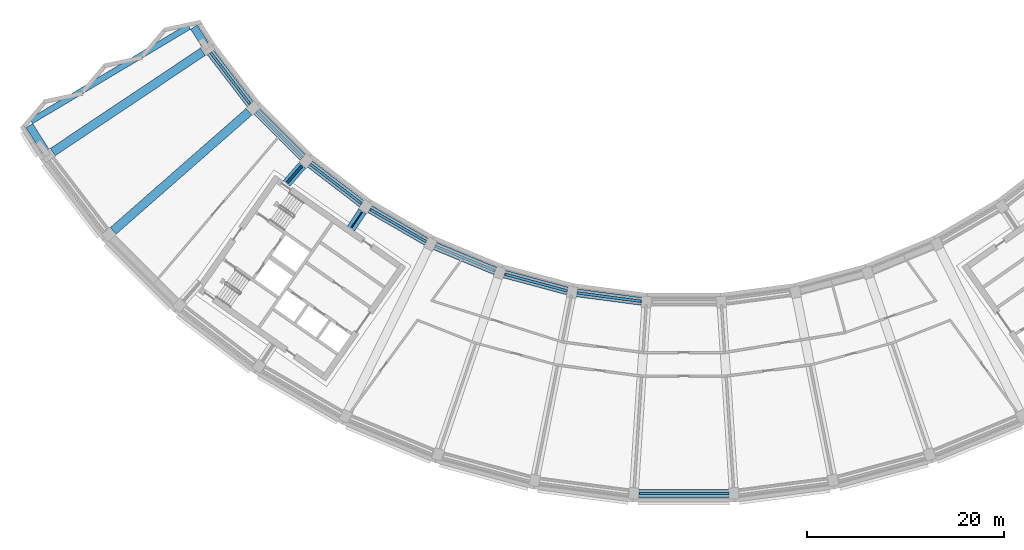
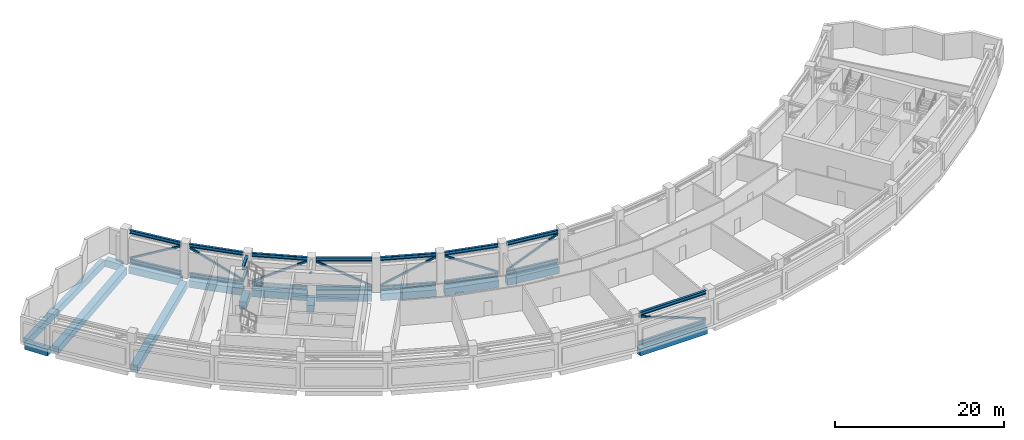
# One storey, part 2 of 24: 28 members, 15 beams.
"""IFC4 building model written with IfcOpenShell, lengths in metres."""

from ifc_helpers import new_model, si_unit, direction, frame, origin, origin_2d, place, context, subcontext, project, spatial, rectangle, hollow_rectangle, hollow_circle, i_section, extrude, material, material_profile, profile_set, type_object, element, save


model = new_model("IFC4")

# Units and contexts
model_context = context("Model", 3, precision=1e-05, world=origin(), true_north=direction((0.0, 1.0)))
body_context = subcontext(model_context, "Body", "Model", "MODEL_VIEW")
ifc_project = project(units=[si_unit("LENGTHUNIT", "METRE"), si_unit("AREAUNIT", "SQUARE_METRE"), si_unit("VOLUMEUNIT", "CUBIC_METRE"), si_unit("PLANEANGLEUNIT", "RADIAN"), si_unit("MASSUNIT", "GRAM", prefix="KILO")], contexts=[model_context])

# Site, building, storey
site_placement = place(None, origin())
site = spatial("IfcSite", under=ifc_project, at=site_placement, CompositionType="ELEMENT")
building_placement = place(site_placement, origin())
building = spatial("IfcBuilding", under=site, at=building_placement, Name="Qamariyya Broadcast Tower", CompositionType="ELEMENT")
storey_placement = place(building_placement, frame((0.0, 0.0, 253.10009765625)))
storey = spatial("IfcBuildingStorey", under=building, at=storey_placement, Name="L61", CompositionType="ELEMENT", Elevation=253.10009765625)

# Members
ifc_material_1 = material(Name="Steel S355", Category="steel")
ifc_material_profile_1 = material_profile(ifc_material_1, i_section(OverallWidth=0.300048828125, OverallDepth=0.5, WebThickness=0.014404296875, FlangeThickness=0.028076171875, FilletRadius=0.027099609375, at=origin_2d()))
ifc_profile_set_1 = profile_set([ifc_material_profile_1], Name="Steel S355")
member_type_1 = type_object("IfcMemberType", Name="Belt truss bottom chord HEB 500", PredefinedType="CHORD", material=ifc_profile_set_1)
for number, where, z_axis, x_axis, name in (
    (1, (-48.128173828125, -32.759521484375, 0.25), (0.608788546151, -0.79333253184, 0.0), (0.79333253184, 0.608788546151, 0.0), "Belt truss bottom chord T28 L61 B-R03"),
    (2, (-43.4404296875, -38.76123046875, 0.25), (0.707106781187, -0.707106781187, 0.0), (0.707106781187, 0.707106781187, 0.0), "Belt truss bottom chord T28 L61 B-R04"),
    (3, (-38.00927734375, -44.099609375, 0.25), (0.79333253184, -0.608788546151, 0.0), (0.608788546151, 0.79333253184, 0.0), "Belt truss bottom chord T28 L61 B-R05"),
):
    element("IfcMember", number, at=place(storey_placement, frame(where, z_axis=z_axis, x_axis=x_axis)), inside=storey, type_object=member_type_1, Name=name, PredefinedType="CHORD", context=body_context, shape_type="SweptSolid", body=[
        extrude(i_section(OverallWidth=0.300048828125, OverallDepth=0.5, WebThickness=0.014404296875, FlangeThickness=0.028076171875, FilletRadius=0.027099609375, at=origin_2d()), origin(), (0.0, 0.0, 1.0), 6.617431640625),
    ])
for number, where, z_axis, x_axis, name in (
    (4, (-31.927978515625, -48.68359375, 0.25), (0.866027686223, -0.499996046679, 0.0), (0.499996046679, 0.866027686223, 0.0), "Belt truss bottom chord T28 L61 B-R06"),
    (5, (-25.30029296875, -52.4345703125, 0.25), (0.923870685948, -0.382704789159, 0.0), (0.382704789159, 0.923870685948, 0.0), "Belt truss bottom chord T28 L61 B-R07"),
):
    element("IfcMember", number, at=place(storey_placement, frame(where, z_axis=z_axis, x_axis=x_axis)), inside=storey, type_object=member_type_1, Name=name, PredefinedType="CHORD", context=body_context, shape_type="SweptSolid", body=[
        extrude(i_section(OverallWidth=0.300048828125, OverallDepth=0.5, WebThickness=0.014404296875, FlangeThickness=0.028076171875, FilletRadius=0.027099609375, at=origin_2d()), origin(), (0.0, 0.0, 1.0), 6.6171875),
    ])
for number, where, z_axis, x_axis, name in (
    (6, (-18.23974609375, -55.288330078125, 0.25), (0.965927466282, -0.258812924486, 0.0), (0.258812924486, 0.965927466282, 0.0), "Belt truss bottom chord T28 L61 B-R08"),
    (7, (-10.8671875, -57.196044921875, 0.25), (0.991444372314, -0.130529906942, 0.0), (0.130529906942, 0.991444372314, 0.0), "Belt truss bottom chord T28 L61 B-R09"),
):
    element("IfcMember", number, at=place(storey_placement, frame(where, z_axis=z_axis, x_axis=x_axis)), inside=storey, type_object=member_type_1, Name=name, PredefinedType="CHORD", context=body_context, shape_type="SweptSolid", body=[
        extrude(i_section(OverallWidth=0.300048828125, OverallDepth=0.5, WebThickness=0.014404296875, FlangeThickness=0.028076171875, FilletRadius=0.027099609375, at=origin_2d()), origin(), (0.0, 0.0, 1.0), 6.617431640625),
    ])
member_1_placement = place(storey_placement, frame((-4.583984375, -77.58349609375, 0.25), z_axis=(1.0, 0.0, 0.0), x_axis=(0.0, 1.0, 0.0)))
element("IfcMember", 8, at=member_1_placement, inside=storey, type_object=member_type_1, Name="Belt truss bottom chord T28 L61 C-R10", PredefinedType="CHORD", context=body_context, shape_type="SweptSolid", body=[
    extrude(i_section(OverallWidth=0.300048828125, OverallDepth=0.5, WebThickness=0.014404296875, FlangeThickness=0.028076171875, FilletRadius=0.027099609375, at=origin_2d()), origin(), (0.0, 0.0, 1.0), 9.16796875),
])
ifc_material_profile_2 = material_profile(ifc_material_1, hollow_rectangle(XDim=0.25, YDim=0.25, WallThickness=0.010009765625, InnerFilletRadius=0.010009765625, OuterFilletRadius=0.02001953125, at=origin_2d()))
ifc_profile_set_2 = profile_set([ifc_material_profile_2], Name="Steel S355")
member_type_2 = type_object("IfcMemberType", Name="Belt truss diagonal RHS 250x250x10", PredefinedType="BRACE", material=ifc_profile_set_2)
for number, where, z_axis, x_axis, name in (
    (9, (-48.0908203125, -32.807861328125, 0.610107421875), (0.536592862245, -0.699343349392, 0.472214972072), (0.793370962332, 0.60873846283, 0.0), "Belt truss diagonal T29 L61 B-R03"),
    (10, (-43.397216796875, -38.804443359375, 4.089599609375), (0.623302826778, -0.623302826778, -0.472215175805), (0.707106781187, 0.707106781187, 0.0), "Belt truss diagonal T29 L61 B-R04"),
    (11, (-37.9609375, -44.136962890625, 0.610107421875), (0.699343349392, -0.536592862245, 0.472214972072), (0.60873846283, 0.793370962332, 0.0), "Belt truss diagonal T29 L61 B-R05"),
):
    element("IfcMember", number, at=place(storey_placement, frame(where, z_axis=z_axis, x_axis=x_axis)), inside=storey, type_object=member_type_2, Name=name, PredefinedType="BRACE", context=body_context, shape_type="SweptSolid", body=[
        extrude(hollow_rectangle(XDim=0.25, YDim=0.25, WallThickness=0.010009765625, InnerFilletRadius=0.010009765625, OuterFilletRadius=0.02001953125, at=origin_2d()), origin(), (0.0, 0.0, 1.0), 7.368408203125),
    ])
member_2_placement = place(storey_placement, frame((-31.875244140625, -48.714111328125, 4.089599609375), z_axis=(0.763403173701, -0.440726922294, -0.472202683546), x_axis=(0.49997949009, 0.866037244863, 0.0)))
element("IfcMember", 12, at=member_2_placement, inside=storey, type_object=member_type_2, Name="Belt truss diagonal T29 L61 B-R06", PredefinedType="BRACE", context=body_context, shape_type="SweptSolid", body=[
    extrude(hollow_rectangle(XDim=0.25, YDim=0.25, WallThickness=0.010009765625, InnerFilletRadius=0.010009765625, OuterFilletRadius=0.02001953125, at=origin_2d()), origin(), (0.0, 0.0, 1.0), 7.36865234375),
])
member_3_placement = place(storey_placement, frame((-25.243896484375, -52.4580078125, 0.610107421875), z_axis=(0.814383519397, -0.337330184751, 0.472215872023), x_axis=(0.382684871323, 0.923878936474, 0.0)))
element("IfcMember", 13, at=member_3_placement, inside=storey, type_object=member_type_2, Name="Belt truss diagonal T29 L61 B-R07", PredefinedType="BRACE", context=body_context, shape_type="SweptSolid", body=[
    extrude(hollow_rectangle(XDim=0.25, YDim=0.25, WallThickness=0.010009765625, InnerFilletRadius=0.010009765625, OuterFilletRadius=0.02001953125, at=origin_2d()), origin(), (0.0, 0.0, 1.0), 7.368408203125),
])
for number, where, z_axis, x_axis, name in (
    (14, (-18.180908203125, -55.30419921875, 4.089599609375), (0.851448379145, -0.228152912242, -0.472209599952), (0.258827519767, 0.96592355547, 0.0), "Belt truss diagonal T29 L61 B-R08"),
    (15, (-10.806640625, -57.2041015625, 0.610107421875), (0.873943840112, -0.115070211044, 0.472208651828), (0.130541047537, 0.991442905521, 0.0), "Belt truss diagonal T29 L61 B-R09"),
):
    element("IfcMember", number, at=place(storey_placement, frame(where, z_axis=z_axis, x_axis=x_axis)), inside=storey, type_object=member_type_2, Name=name, PredefinedType="BRACE", context=body_context, shape_type="SweptSolid", body=[
        extrude(hollow_rectangle(XDim=0.25, YDim=0.25, WallThickness=0.010009765625, InnerFilletRadius=0.010009765625, OuterFilletRadius=0.02001953125, at=origin_2d()), origin(), (0.0, 0.0, 1.0), 7.36865234375),
    ])
member_4_placement = place(storey_placement, frame((-4.537353515625, -77.58349609375, 4.083251953125), z_axis=(0.934161272211, 0.0, -0.356851113913), x_axis=(0.0, 1.0, 0.0)))
element("IfcMember", 16, at=member_4_placement, inside=storey, type_object=member_type_2, Name="Belt truss diagonal T29 L61 C-R10", PredefinedType="BRACE", context=body_context, shape_type="SweptSolid", body=[
    extrude(hollow_rectangle(XDim=0.25, YDim=0.25, WallThickness=0.010009765625, InnerFilletRadius=0.010009765625, OuterFilletRadius=0.02001953125, at=origin_2d()), origin(), (0.0, 0.0, 1.0), 9.71435546875),
])
ifc_material_profile_3 = material_profile(ifc_material_1, i_section(OverallWidth=0.300048828125, OverallDepth=0.5, WebThickness=0.014404296875, FlangeThickness=0.028076171875, FilletRadius=0.027099609375, at=origin_2d()))
ifc_profile_set_3 = profile_set([ifc_material_profile_3], Name="Steel S355")
member_type_3 = type_object("IfcMemberType", Name="Belt truss top chord HEB 500", PredefinedType="CHORD", material=ifc_profile_set_3)
for number, where, z_axis, x_axis, name in (
    (17, (-48.128173828125, -32.759521484375, 4.449951171875), (0.608788546151, -0.79333253184, 0.0), (0.79333253184, 0.608788546151, 0.0), "Belt truss top chord T27 L61 B-R03"),
    (18, (-43.4404296875, -38.76123046875, 4.449951171875), (0.707106781187, -0.707106781187, 0.0), (0.707106781187, 0.707106781187, 0.0), "Belt truss top chord T27 L61 B-R04"),
    (19, (-38.00927734375, -44.099609375, 4.449951171875), (0.79333253184, -0.608788546151, 0.0), (0.608788546151, 0.79333253184, 0.0), "Belt truss top chord T27 L61 B-R05"),
):
    element("IfcMember", number, at=place(storey_placement, frame(where, z_axis=z_axis, x_axis=x_axis)), inside=storey, type_object=member_type_3, Name=name, PredefinedType="CHORD", context=body_context, shape_type="SweptSolid", body=[
        extrude(i_section(OverallWidth=0.300048828125, OverallDepth=0.5, WebThickness=0.014404296875, FlangeThickness=0.028076171875, FilletRadius=0.027099609375, at=origin_2d()), origin(), (0.0, 0.0, 1.0), 6.617431640625),
    ])
for number, where, z_axis, x_axis, name in (
    (20, (-31.927978515625, -48.68359375, 4.449951171875), (0.866027686223, -0.499996046679, 0.0), (0.499996046679, 0.866027686223, 0.0), "Belt truss top chord T27 L61 B-R06"),
    (21, (-25.30029296875, -52.4345703125, 4.449951171875), (0.923870685948, -0.382704789159, 0.0), (0.382704789159, 0.923870685948, 0.0), "Belt truss top chord T27 L61 B-R07"),
):
    element("IfcMember", number, at=place(storey_placement, frame(where, z_axis=z_axis, x_axis=x_axis)), inside=storey, type_object=member_type_3, Name=name, PredefinedType="CHORD", context=body_context, shape_type="SweptSolid", body=[
        extrude(i_section(OverallWidth=0.300048828125, OverallDepth=0.5, WebThickness=0.014404296875, FlangeThickness=0.028076171875, FilletRadius=0.027099609375, at=origin_2d()), origin(), (0.0, 0.0, 1.0), 6.6171875),
    ])
for number, where, z_axis, x_axis, name in (
    (22, (-18.23974609375, -55.288330078125, 4.449951171875), (0.965927466282, -0.258812924486, 0.0), (0.258812924486, 0.965927466282, 0.0), "Belt truss top chord T27 L61 B-R08"),
    (23, (-10.8671875, -57.196044921875, 4.449951171875), (0.991444372314, -0.130529906942, 0.0), (0.130529906942, 0.991444372314, 0.0), "Belt truss top chord T27 L61 B-R09"),
):
    element("IfcMember", number, at=place(storey_placement, frame(where, z_axis=z_axis, x_axis=x_axis)), inside=storey, type_object=member_type_3, Name=name, PredefinedType="CHORD", context=body_context, shape_type="SweptSolid", body=[
        extrude(i_section(OverallWidth=0.300048828125, OverallDepth=0.5, WebThickness=0.014404296875, FlangeThickness=0.028076171875, FilletRadius=0.027099609375, at=origin_2d()), origin(), (0.0, 0.0, 1.0), 6.617431640625),
    ])
member_5_placement = place(storey_placement, frame((-4.583984375, -77.58349609375, 4.449951171875), z_axis=(1.0, 0.0, 0.0), x_axis=(0.0, 1.0, 0.0)))
element("IfcMember", 24, at=member_5_placement, inside=storey, type_object=member_type_3, Name="Belt truss top chord T27 L61 C-R10", PredefinedType="CHORD", context=body_context, shape_type="SweptSolid", body=[
    extrude(i_section(OverallWidth=0.300048828125, OverallDepth=0.5, WebThickness=0.014404296875, FlangeThickness=0.028076171875, FilletRadius=0.027099609375, at=origin_2d()), origin(), (0.0, 0.0, 1.0), 9.16796875),
])
ifc_material_profile_4 = material_profile(ifc_material_1, i_section(OverallWidth=0.300048828125, OverallDepth=0.389892578125, WebThickness=0.010986328125, FlangeThickness=0.01904296875, FilletRadius=0.027099609375, at=origin_2d()))
ifc_profile_set_4 = profile_set([ifc_material_profile_4], Name="Steel S355")
member_type_4 = type_object("IfcMemberType", Name="Outrigger truss bottom chord HEA 400", PredefinedType="CHORD", material=ifc_profile_set_4)
member_6_placement = place(storey_placement, frame((-38.79931640625, -44.241943359375, 2.69482421875), z_axis=(-0.659261415611, -0.751913815465, 0.0), x_axis=(0.751913815465, -0.659261415611, 0.0)))
element("IfcMember", 25, at=member_6_placement, inside=storey, type_object=member_type_4, Name="Outrigger truss bottom chord T25 L61 R05", PredefinedType="CHORD", context=body_context, shape_type="SweptSolid", body=[
    extrude(i_section(OverallWidth=0.300048828125, OverallDepth=0.389892578125, WebThickness=0.010986328125, FlangeThickness=0.01904296875, FilletRadius=0.027099609375, at=origin_2d()), origin(), (0.0, 0.0, 1.0), 2.374267578125),
])
ifc_material_profile_5 = material_profile(ifc_material_1, hollow_circle(Radius=0.109619140625, WallThickness=0.010009765625, at=origin_2d()))
ifc_profile_set_5 = profile_set([ifc_material_profile_5], Name="Steel S355")
member_type_5 = type_object("IfcMemberType", Name="Outrigger truss diagonal CHS 219.1x10", PredefinedType="BRACE", material=ifc_profile_set_5)
member_7_placement = place(storey_placement, frame((-38.8349609375, -44.28271484375, 2.986328125), z_axis=(-0.579732146221, -0.661116345209, 0.476272838545), x_axis=(0.751868743893, -0.659312817983, 0.0)))
element("IfcMember", 26, at=member_7_placement, inside=storey, type_object=member_type_5, Name="Outrigger truss diagonal T30 L61 R05", PredefinedType="BRACE", context=body_context, shape_type="SweptSolid", body=[
    extrude(hollow_circle(Radius=0.109619140625, WallThickness=0.010009765625, at=origin_2d()), origin(), (0.0, 0.0, 1.0), 2.576904296875),
])
member_8_placement = place(storey_placement, frame((-32.726806640625, -48.979248046875, 2.981689453125), z_axis=(-0.465751195382, -0.697011844406, 0.545206669767), x_axis=(0.831457064539, -0.555589011615, 0.0)))
element("IfcMember", 27, at=member_8_placement, inside=storey, type_object=member_type_5, Name="Outrigger truss diagonal T30 L61 R06", PredefinedType="BRACE", context=body_context, shape_type="SweptSolid", body=[
    extrude(hollow_circle(Radius=0.109619140625, WallThickness=0.010009765625, at=origin_2d()), origin(), (0.0, 0.0, 1.0), 2.267578125),
])
ifc_material_profile_6 = material_profile(ifc_material_1, i_section(OverallWidth=0.300048828125, OverallDepth=0.389892578125, WebThickness=0.010986328125, FlangeThickness=0.01904296875, FilletRadius=0.027099609375, at=origin_2d()))
ifc_profile_set_6 = profile_set([ifc_material_profile_6], Name="Steel S355")
member_type_6 = type_object("IfcMemberType", Name="Outrigger truss top chord HEA 400", PredefinedType="CHORD", material=ifc_profile_set_6)
member_9_placement = place(storey_placement, frame((-38.79931640625, -44.241943359375, 4.5048828125), z_axis=(-0.659261415611, -0.751913815465, 0.0), x_axis=(0.751913815465, -0.659261415611, 0.0)))
element("IfcMember", 28, at=member_9_placement, inside=storey, type_object=member_type_6, Name="Outrigger truss top chord T24 L61 R05", PredefinedType="CHORD", context=body_context, shape_type="SweptSolid", body=[
    extrude(i_section(OverallWidth=0.300048828125, OverallDepth=0.389892578125, WebThickness=0.010986328125, FlangeThickness=0.01904296875, FilletRadius=0.027099609375, at=origin_2d()), origin(), (0.0, 0.0, 1.0), 2.374267578125),
])

# Beams
ifc_material_2 = material(Name="Concrete C40/50", Category="concrete")
ifc_material_profile_7 = material_profile(ifc_material_2, rectangle(XDim=0.800048828125, YDim=1.0, at=origin_2d()))
ifc_profile_set_7 = profile_set([ifc_material_profile_7], Name="Concrete C40/50")
beam_type_1 = type_object("IfcBeamType", Name="RC edge beam 800 x 1000 C40/50", PredefinedType="SPANDREL", material=ifc_profile_set_7)
for number, where, z_axis, x_axis, name in (
    (29, (-48.128173828125, -32.759521484375, -0.900146484375), (0.608788546151, -0.79333253184, 0.0), (0.79333253184, 0.608788546151, 0.0), "Edge beam B24 L61 B R03-R04"),
    (30, (-43.4404296875, -38.76123046875, -0.900146484375), (0.707106781187, -0.707106781187, 0.0), (0.707106781187, 0.707106781187, 0.0), "Edge beam B24 L61 B R04-R05"),
    (31, (-38.00927734375, -44.099609375, -0.900146484375), (0.79333253184, -0.608788546151, 0.0), (0.608788546151, 0.79333253184, 0.0), "Edge beam B24 L61 B R05-R06"),
):
    element("IfcBeam", number, at=place(storey_placement, frame(where, z_axis=z_axis, x_axis=x_axis)), inside=storey, type_object=beam_type_1, Name=name, PredefinedType="SPANDREL", context=body_context, shape_type="SweptSolid", body=[
        extrude(rectangle(XDim=0.800048828125, YDim=1.0, at=origin_2d()), origin(), (0.0, 0.0, 1.0), 6.617431640625),
    ])
for number, where, z_axis, x_axis, name in (
    (32, (-31.927978515625, -48.68359375, -0.900146484375), (0.866027686223, -0.499996046679, 0.0), (0.499996046679, 0.866027686223, 0.0), "Edge beam B24 L61 B R06-R07"),
    (33, (-25.30029296875, -52.4345703125, -0.900146484375), (0.923870685948, -0.382704789159, 0.0), (0.382704789159, 0.923870685948, 0.0), "Edge beam B24 L61 B R07-R08"),
):
    element("IfcBeam", number, at=place(storey_placement, frame(where, z_axis=z_axis, x_axis=x_axis)), inside=storey, type_object=beam_type_1, Name=name, PredefinedType="SPANDREL", context=body_context, shape_type="SweptSolid", body=[
        extrude(rectangle(XDim=0.800048828125, YDim=1.0, at=origin_2d()), origin(), (0.0, 0.0, 1.0), 6.6171875),
    ])
for number, where, z_axis, x_axis, name in (
    (34, (-18.23974609375, -55.288330078125, -0.900146484375), (0.965927466282, -0.258812924486, 0.0), (0.258812924486, 0.965927466282, 0.0), "Edge beam B24 L61 B R08-R09"),
    (35, (-10.8671875, -57.196044921875, -0.900146484375), (0.991444372314, -0.130529906942, 0.0), (0.130529906942, 0.991444372314, 0.0), "Edge beam B24 L61 B R09-R10"),
):
    element("IfcBeam", number, at=place(storey_placement, frame(where, z_axis=z_axis, x_axis=x_axis)), inside=storey, type_object=beam_type_1, Name=name, PredefinedType="SPANDREL", context=body_context, shape_type="SweptSolid", body=[
        extrude(rectangle(XDim=0.800048828125, YDim=1.0, at=origin_2d()), origin(), (0.0, 0.0, 1.0), 6.617431640625),
    ])
beam_1_placement = place(storey_placement, frame((-4.583984375, -77.58349609375, -0.900146484375), z_axis=(1.0, 0.0, 0.0), x_axis=(0.0, 1.0, 0.0)))
element("IfcBeam", 36, at=beam_1_placement, inside=storey, type_object=beam_type_1, Name="Edge beam B24 L61 C R10-R11", PredefinedType="SPANDREL", context=body_context, shape_type="SweptSolid", body=[
    extrude(rectangle(XDim=0.800048828125, YDim=1.0, at=origin_2d()), origin(), (0.0, 0.0, 1.0), 9.16796875),
])
ifc_material_profile_8 = material_profile(ifc_material_2, rectangle(XDim=0.800048828125, YDim=1.0, at=origin_2d()))
ifc_profile_set_8 = profile_set([ifc_material_profile_8], Name="Concrete C40/50")
beam_type_2 = type_object("IfcBeamType", Name="RC horn beam 800 x 1000 C40/50", PredefinedType="BEAM", material=ifc_profile_set_8)
beam_2_placement = place(storey_placement, frame((-48.70068359375, -31.939453125, -0.900146484375), z_axis=(-0.534674061162, 0.845058369771, 0.0), x_axis=(-0.845058369771, -0.534674061162, 0.0)))
element("IfcBeam", 37, at=beam_2_placement, inside=storey, type_object=beam_type_2, Name="Horn beam B25 L61 W B-R03", PredefinedType="BEAM", context=body_context, shape_type="SweptSolid", body=[
    extrude(rectangle(XDim=0.800048828125, YDim=1.0, at=origin_2d()), origin(), (0.0, 0.0, 1.0), 2.08984375),
])
beam_3_placement = place(storey_placement, frame((-64.914306640625, -42.77294921875, -0.900146484375), z_axis=(-0.534770890382, 0.84499709751, 0.0), x_axis=(-0.84499709751, -0.534770890382, 0.0)))
element("IfcBeam", 38, at=beam_3_placement, inside=storey, type_object=beam_type_2, Name="Horn beam B25 L61 W C-R03", PredefinedType="BEAM", context=body_context, shape_type="SweptSolid", body=[
    extrude(rectangle(XDim=0.800048828125, YDim=1.0, at=origin_2d()), origin(), (0.0, 0.0, 1.0), 3.057373046875),
])
ifc_material_profile_9 = material_profile(ifc_material_2, rectangle(XDim=0.60009765625, YDim=1.0, at=origin_2d()))
ifc_profile_set_9 = profile_set([ifc_material_profile_9], Name="Concrete C40/50")
beam_type_3 = type_object("IfcBeamType", Name="RC horn cap beam 600 x 1000 C40/50", PredefinedType="BEAM", material=ifc_profile_set_9)
beam_4_placement = place(storey_placement, frame((-50.32177734375, -30.125244140625, -0.900146484375), z_axis=(-0.858001674613, -0.513646888788, 0.0), x_axis=(0.513646888788, -0.858001674613, 0.0)))
element("IfcBeam", 39, at=beam_4_placement, inside=storey, type_object=beam_type_3, Name="Horn cap beam B26 L61 W B-C", PredefinedType="BEAM", context=body_context, shape_type="SweptSolid", body=[
    extrude(rectangle(XDim=0.60009765625, YDim=1.0, at=origin_2d()), origin(), (0.0, 0.0, 1.0), 18.699951171875),
])
ifc_material_profile_10 = material_profile(ifc_material_2, rectangle(XDim=0.89990234375, YDim=1.0, at=origin_2d()))
ifc_profile_set_10 = profile_set([ifc_material_profile_10], Name="Concrete C40/50")
beam_type_4 = type_object("IfcBeamType", Name="RC radial beam 900 x 1000 C40/50", PredefinedType="BEAM", material=ifc_profile_set_10)
beam_5_placement = place(storey_placement, frame((-48.9111328125, -32.681396484375, -0.900146484375), z_axis=(-0.831468530479, -0.55557185208, 0.0), x_axis=(0.55557185208, -0.831468530479, 0.0)))
element("IfcBeam", 40, at=beam_5_placement, inside=storey, type_object=beam_type_4, Name="Radial beam B23 L61 R03 B-C", PredefinedType="BEAM", context=body_context, shape_type="SweptSolid", body=[
    extrude(rectangle(XDim=0.89990234375, YDim=1.0, at=origin_2d()), origin(), (0.0, 0.0, 1.0), 18.35009765625),
])
beam_6_placement = place(storey_placement, frame((-44.22705078125, -38.7861328125, -0.900146484375), z_axis=(-0.751840222646, -0.659345341692, 0.0), x_axis=(0.659345341692, -0.751840222646, 0.0)))
element("IfcBeam", 41, at=beam_6_placement, inside=storey, type_object=beam_type_4, Name="Radial beam B23 L61 R04 B-C", PredefinedType="BEAM", context=body_context, shape_type="SweptSolid", body=[
    extrude(rectangle(XDim=0.89990234375, YDim=1.0, at=origin_2d()), origin(), (0.0, 0.0, 1.0), 18.349853515625),
])
beam_7_placement = place(storey_placement, frame((-38.7861328125, -44.22705078125, -0.900146484375), z_axis=(-0.659347500472, -0.751838329444, 0.0), x_axis=(0.751838329444, -0.659347500472, 0.0)))
element("IfcBeam", 42, at=beam_7_placement, inside=storey, type_object=beam_type_4, Name="Radial beam B23 L61 R05 B-C", PredefinedType="BEAM", context=body_context, shape_type="SweptSolid", body=[
    extrude(rectangle(XDim=0.89990234375, YDim=1.0, at=origin_2d()), origin(), (0.0, 0.0, 1.0), 2.43896484375),
])
beam_8_placement = place(storey_placement, frame((-32.681396484375, -48.9111328125, -0.900146484375), z_axis=(-0.555589685374, -0.831456614326, 0.0), x_axis=(0.831456614326, -0.555589685374, 0.0)))
element("IfcBeam", 43, at=beam_8_placement, inside=storey, type_object=beam_type_4, Name="Radial beam B23 L61 R06 B-C", PredefinedType="BEAM", context=body_context, shape_type="SweptSolid", body=[
    extrude(rectangle(XDim=0.89990234375, YDim=1.0, at=origin_2d()), origin(), (0.0, 0.0, 1.0), 2.08935546875),
])

save(model, "model.ifc")
